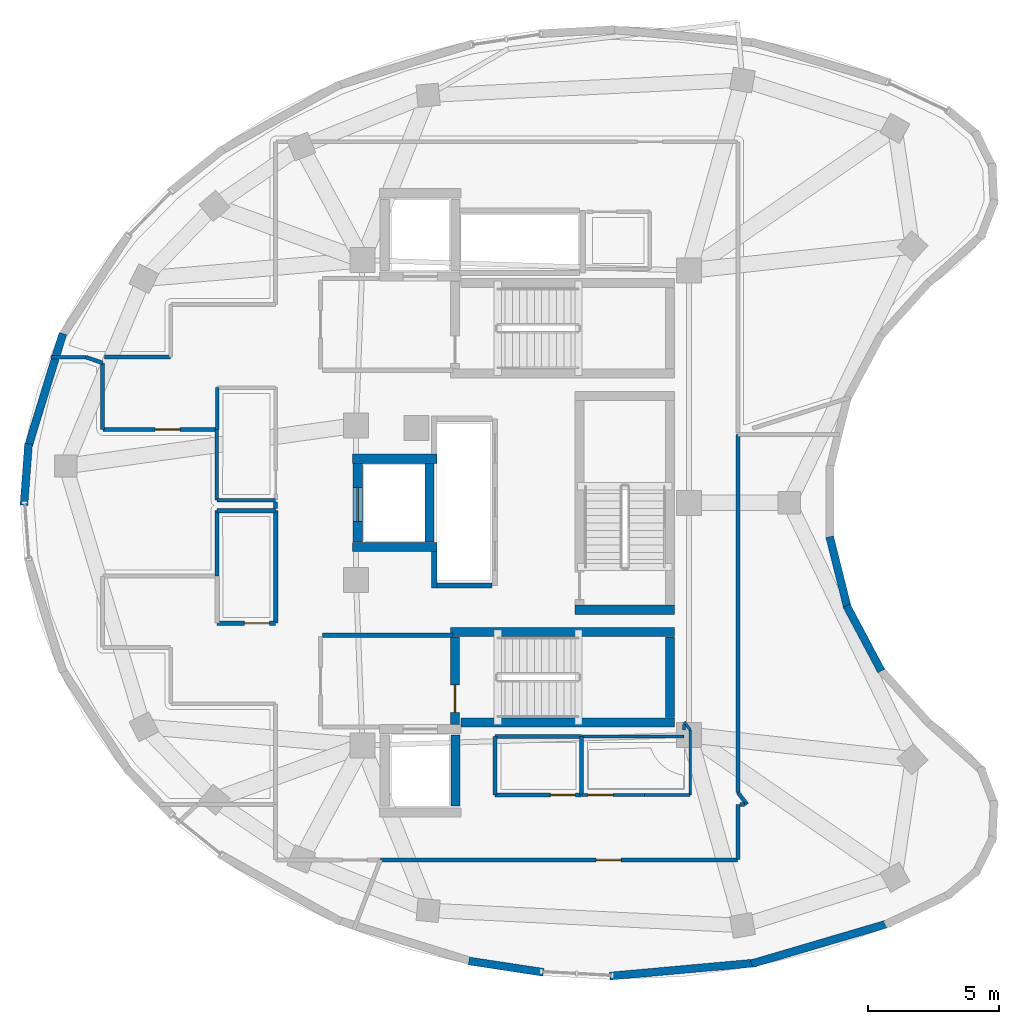
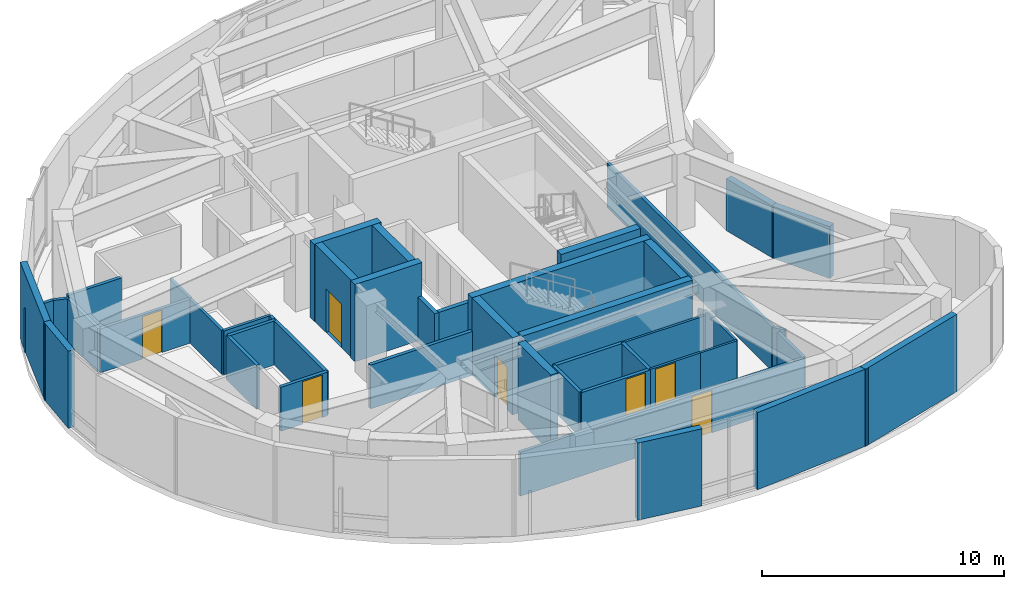
# One storey, part 4 of 8: 48 walls, 7 doors, 7 openings.
"""IFC4 building model written with IfcOpenShell, lengths in metres."""

from ifc_helpers import new_model, si_unit, direction, frame, frame_2d, origin, place, context, subcontext, project, spatial, rectangle, extrude, material, layer, layer_set, type_object, element, fill, save


model = new_model("IFC4")

# Units and contexts
model_context = context("Model", 3, precision=1e-05, world=origin(), true_north=direction((0.0, 1.0)))
body_context = subcontext(model_context, "Body", "Model", "MODEL_VIEW")
ifc_project = project(units=[si_unit("LENGTHUNIT", "METRE"), si_unit("AREAUNIT", "SQUARE_METRE"), si_unit("VOLUMEUNIT", "CUBIC_METRE"), si_unit("PLANEANGLEUNIT", "RADIAN"), si_unit("MASSUNIT", "GRAM", prefix="KILO")], contexts=[model_context])

# Site, building, storey
site_placement = place(None, origin())
site = spatial("IfcSite", under=ifc_project, at=site_placement, CompositionType="ELEMENT")
building_placement = place(site_placement, origin())
building = spatial("IfcBuilding", under=site, at=building_placement, Name="Korentha Bioscience Tower", CompositionType="ELEMENT")
storey_placement = place(building_placement, frame((0.0, 0.0, 301.800048828125)))
storey = spatial("IfcBuildingStorey", under=building, at=storey_placement, Name="L69", CompositionType="ELEMENT", Elevation=301.800048828125)

# Wall, opening, door
ifc_material_1 = material(Name="Double-Stud Acoustic Gypsum", Category="gypsum")
ifc_layer_1 = layer(ifc_material_1, 0.14990234375, Name="Double-Stud Acoustic Gypsum")
ifc_layer_set_1 = layer_set([ifc_layer_1], Name="Double-Stud Acoustic Gypsum (IW-L150)")
wall_type_1 = type_object("IfcWallType", Name="Acoustic Laboratory Partition Wall 150", PredefinedType="PARTITIONING", material=ifc_layer_set_1)
wall_1_placement = place(storey_placement, frame((15.199951171875, 29.7900390625, 0.0), z_axis=(0.0, 0.0, 1.0), x_axis=(1.0, 0.0, 0.0)))
wall_1 = element("IfcWall", 1, at=wall_1_placement, inside=storey, type_object=wall_type_1, Name="L69 Biomechanical Motion Analysis Lab 01 Entrance Wall", PredefinedType="PARTITIONING", context=body_context, shape_type="SweptSolid", body=[
    extrude(rectangle(XDim=4.340087890625, YDim=0.14990234375, at=frame_2d((2.169921875, 0.0))), origin(), (0.0, 0.0, 1.0), 2.219970703125),
])
opening_1_placement = place(wall_1_placement, frame((1.99755859375, 0.0, 0.0)))
opening_1 = element("IfcOpeningElement", 2, at=opening_1_placement, cuts=wall_1, Name="Opening ID-10R", PredefinedType="OPENING", context=body_context, shape_type="SweptSolid", body=[
    extrude(rectangle(XDim=0.949951171875, YDim=2.14990234375, at=frame_2d((0.47509765625, 1.074951171875))), frame((0.0, 0.08984375, 0.0), z_axis=(0.0, -1.0, 0.0), x_axis=(1.0, 0.0, 0.0)), (0.0, 0.0, 1.0), 0.1796875),
])
ifc_material_2 = material(Name="Phenolic Laminate Timber Core", Category="wood")
door_type_1 = type_object("IfcDoorType", Name="Laboratory Single Leaf Door 950x2150 Right", OperationType="SINGLE_SWING_RIGHT", PredefinedType="DOOR", material=ifc_material_2)
door_1_placement = place(opening_1_placement, origin())
door_1 = element("IfcDoor", 3, at=door_1_placement, inside=storey, type_object=door_type_1, Name="L69 Biomechanical Motion Analysis Lab 01 Door", OperationType="SINGLE_SWING_RIGHT", OverallHeight=2.14990234375, OverallWidth=0.949951171875, PredefinedType="DOOR", context=body_context, shape_type="SweptSolid", body=[
    extrude(rectangle(XDim=0.949951171875, YDim=2.14990234375, at=frame_2d((0.47509765625, 1.074951171875))), frame((0.0, 0.02490234375, 0.0), z_axis=(0.0, -1.0, 0.0), x_axis=(1.0, 0.0, 0.0)), (0.0, 0.0, 1.0), 0.050048828125),
])
fill(opening_1, door_1)

wall_2_placement = place(storey_placement, frame((25.79443359375, 13.389892578125, 0.0), z_axis=(0.0, 0.0, 1.0), x_axis=(1.0, 0.0, 0.0)))
wall_2 = element("IfcWall", 4, at=wall_2_placement, inside=storey, type_object=wall_type_1, Name="L69 Staff Pantry Kitchenette 04 Entrance Wall", PredefinedType="PARTITIONING", context=body_context, shape_type="SweptSolid", body=[
    extrude(rectangle(XDim=13.60546875, YDim=0.14990234375, at=frame_2d((6.802734375, 0.0))), origin(), (0.0, 0.0, 1.0), 2.219970703125),
])
opening_2_placement = place(wall_2_placement, frame((8.212646484375, 0.0, 0.0)))
opening_2 = element("IfcOpeningElement", 5, at=opening_2_placement, cuts=wall_2, Name="Opening ID-10L", PredefinedType="OPENING", context=body_context, shape_type="SweptSolid", body=[
    extrude(rectangle(XDim=0.949951171875, YDim=2.14990234375, at=frame_2d((0.47509765625, 1.074951171875))), frame((0.0, 0.08984375, 0.0), z_axis=(0.0, -1.0, 0.0), x_axis=(1.0, 0.0, 0.0)), (0.0, 0.0, 1.0), 0.1796875),
])
door_type_2 = type_object("IfcDoorType", Name="Laboratory Single Leaf Door 950x2150 Left", OperationType="SINGLE_SWING_LEFT", PredefinedType="DOOR", material=ifc_material_2)
door_2_placement = place(opening_2_placement, origin())
door_2 = element("IfcDoor", 6, at=door_2_placement, inside=storey, type_object=door_type_2, Name="L69 Staff Pantry Kitchenette 04 Door", OperationType="SINGLE_SWING_LEFT", OverallHeight=2.14990234375, OverallWidth=0.949951171875, PredefinedType="DOOR", context=body_context, shape_type="SweptSolid", body=[
    extrude(rectangle(XDim=0.949951171875, YDim=2.14990234375, at=frame_2d((0.47509765625, 1.074951171875))), frame((0.0, 0.02490234375, 0.0), z_axis=(0.0, -1.0, 0.0), x_axis=(1.0, 0.0, 0.0)), (0.0, 0.0, 1.0), 0.050048828125),
])
fill(opening_2, door_2)

# Walls
wall_3_placement = place(storey_placement, frame((13.2294921875, 32.548095703125, 0.0), z_axis=(0.0, 0.0, 1.0), x_axis=(1.0, 0.0, 0.0)))
element("IfcWall", 7, at=wall_3_placement, inside=storey, type_object=wall_type_1, Name="L69 Interior Partition 023", PredefinedType="PARTITIONING", context=body_context, shape_type="SweptSolid", body=[
    extrude(rectangle(XDim=1.330322265625, YDim=0.14990234375, at=frame_2d((0.6650390625, 0.0))), origin(), (0.0, 0.0, 1.0), 2.219970703125),
])
wall_4_placement = place(storey_placement, frame((14.559814453125, 32.548095703125, 0.0), z_axis=(0.0, 0.0, 1.0), x_axis=(0.947502011069, -0.319749806912, 0.0)))
element("IfcWall", 8, at=wall_4_placement, inside=storey, type_object=wall_type_1, Name="L69 Interior Partition 024", PredefinedType="PARTITIONING", context=body_context, shape_type="SweptSolid", body=[
    extrude(rectangle(XDim=0.6650390625, YDim=0.14990234375, at=frame_2d((0.33251953125, 0.0))), origin(), (0.0, 0.0, 1.0), 2.219970703125),
])
wall_5_placement = place(storey_placement, frame((15.18994140625, 32.33544921875, 0.0), z_axis=(0.0, 0.0, 1.0), x_axis=(0.0, -1.0, 0.0)))
element("IfcWall", 9, at=wall_5_placement, inside=storey, type_object=wall_type_1, Name="L69 Interior Partition 025", PredefinedType="PARTITIONING", context=body_context, shape_type="SweptSolid", body=[
    extrude(rectangle(XDim=2.535400390625, YDim=0.14990234375, at=frame_2d((1.267578125, 0.0))), origin(), (0.0, 0.0, 1.0), 2.219970703125),
])
wall_6_placement = place(storey_placement, frame((21.7900390625, 27.031982421875, 0.0), z_axis=(0.0, 0.0, 1.0), x_axis=(0.0, -1.0, 0.0)))
element("IfcWall", 10, at=wall_6_placement, inside=storey, type_object=wall_type_1, Name="L69 Interior Partition 026", PredefinedType="PARTITIONING", context=body_context, shape_type="SweptSolid", body=[
    extrude(rectangle(XDim=0.2490234375, YDim=0.14990234375, at=frame_2d((0.12451171875, 0.0))), origin(), (0.0, 0.0, 1.0), 2.219970703125),
])
wall_7_placement = place(storey_placement, frame((39.75244140625, 15.50439453125, 0.0), z_axis=(0.0, 0.0, 1.0), x_axis=(-0.605094202719, 0.796153883264, 0.0)))
element("IfcWall", 11, at=wall_7_placement, inside=storey, type_object=wall_type_1, Name="L69 Interior Partition 043", PredefinedType="PARTITIONING", context=body_context, shape_type="SweptSolid", body=[
    extrude(rectangle(XDim=0.566162109375, YDim=0.14990234375, at=frame_2d((0.283203125, 0.0))), origin(), (0.0, 0.0, 1.0), 2.219970703125),
])
wall_8_placement = place(storey_placement, frame((39.409912109375, 15.955078125, 0.0), z_axis=(0.0, 0.0, 1.0), x_axis=(0.0, 1.0, 0.0)))
element("IfcWall", 12, at=wall_8_placement, inside=storey, type_object=wall_type_1, Name="L69 Interior Partition 044", PredefinedType="PARTITIONING", context=body_context, shape_type="SweptSolid", body=[
    extrude(rectangle(XDim=13.642822265625, YDim=0.14990234375, at=frame_2d((6.8212890625, 0.0))), origin(), (0.0, 0.0, 1.0), 2.219970703125),
])
wall_9_placement = place(storey_placement, frame((39.409912109375, 13.39990234375, 0.0), z_axis=(0.0, 0.0, 1.0), x_axis=(0.0, 1.0, 0.0)))
element("IfcWall", 13, at=wall_9_placement, inside=storey, type_object=wall_type_1, Name="L69 Interior Partition 046", PredefinedType="PARTITIONING", context=body_context, shape_type="SweptSolid", body=[
    extrude(rectangle(XDim=2.09814453125, YDim=0.14990234375, at=frame_2d((1.049072265625, 0.0))), origin(), (0.0, 0.0, 1.0), 2.219970703125),
])
wall_10_placement = place(storey_placement, frame((39.488037109375, 15.498046875, 0.0), z_axis=(0.0, 0.0, 1.0), x_axis=(1.0, 0.0, 0.0)))
element("IfcWall", 14, at=wall_10_placement, inside=storey, type_object=wall_type_1, Name="L69 Interior Partition 047", PredefinedType="PARTITIONING", context=body_context, shape_type="SweptSolid", body=[
    extrude(rectangle(XDim=0.17138671875, YDim=0.14990234375, at=frame_2d((0.085693359375, 0.0))), origin(), (0.0, 0.0, 1.0), 2.219970703125),
])
wall_11_placement = place(storey_placement, frame((17.7900390625, 32.552001953125, 0.0), z_axis=(0.0, 0.0, 1.0), x_axis=(-1.0, 0.0, 0.0)))
element("IfcWall", 15, at=wall_11_placement, inside=storey, type_object=wall_type_1, Name="L69 Interior Partition 053", PredefinedType="PARTITIONING", context=body_context, shape_type="SweptSolid", body=[
    extrude(rectangle(XDim=2.52685546875, YDim=0.14990234375, at=frame_2d((1.263427734375, 0.0))), origin(), (0.0, 0.0, 1.0), 2.219970703125),
])

# Wall, opening, door
ifc_material_3 = material(Name="Fire-Rated Framed Glass", Category="glass")
ifc_layer_2 = layer(ifc_material_3, 0.110107421875, Name="Fire-Rated Framed Glass")
ifc_layer_set_2 = layer_set([ifc_layer_2], Name="Fire-Rated Framed Glass (IW-G110)")
wall_type_2 = type_object("IfcWallType", Name="Demountable Glazed Office Partition 110", PredefinedType="MOVABLE", material=ifc_layer_set_2)
wall_12_placement = place(storey_placement, frame((35.840087890625, 15.860107421875, 0.0), z_axis=(0.0, 0.0, 1.0), x_axis=(-1.0, 0.0, 0.0)))
wall_12 = element("IfcWall", 16, at=wall_12_placement, inside=storey, type_object=wall_type_2, Name="L69 Research Colloquium Seminar Room 03 Entrance Wall", PredefinedType="MOVABLE", context=body_context, shape_type="SweptSolid", body=[
    extrude(rectangle(XDim=2.380126953125, YDim=0.110107421875, at=frame_2d((1.18994140625, 0.0))), origin(), (0.0, 0.0, 1.0), 2.219970703125),
])
opening_3_placement = place(wall_12_placement, frame((1.18994140625, 0.0, 0.0)))
opening_3 = element("IfcOpeningElement", 17, at=opening_3_placement, cuts=wall_12, Name="Opening ID-10R", PredefinedType="OPENING", context=body_context, shape_type="SweptSolid", body=[
    extrude(rectangle(XDim=0.949951171875, YDim=2.14990234375, at=frame_2d((0.47509765625, 1.074951171875))), frame((0.0, 0.06982421875, 0.0), z_axis=(0.0, -1.0, 0.0), x_axis=(1.0, 0.0, 0.0)), (0.0, 0.0, 1.0), 0.139892578125),
])
door_3_placement = place(opening_3_placement, origin())
door_3 = element("IfcDoor", 18, at=door_3_placement, inside=storey, type_object=door_type_1, Name="L69 Research Colloquium Seminar Room 03 Door", OperationType="SINGLE_SWING_RIGHT", OverallHeight=2.14990234375, OverallWidth=0.949951171875, PredefinedType="DOOR", context=body_context, shape_type="SweptSolid", body=[
    extrude(rectangle(XDim=0.949951171875, YDim=2.14990234375, at=frame_2d((0.47509765625, 1.074951171875))), frame((0.0, 0.02490234375, 0.0), z_axis=(0.0, -1.0, 0.0), x_axis=(1.0, 0.0, 0.0)), (0.0, 0.0, 1.0), 0.050048828125),
])
fill(opening_3, door_3)

# Walls
wall_13_placement = place(storey_placement, frame((37.590087890625, 18.342529296875, 0.0), z_axis=(0.0, 0.0, 1.0), x_axis=(0.0, -1.0, 0.0)))
element("IfcWall", 19, at=wall_13_placement, inside=storey, type_object=wall_type_2, Name="L69 Interior Partition 038", PredefinedType="MOVABLE", context=body_context, shape_type="SweptSolid", body=[
    extrude(rectangle(XDim=2.482421875, YDim=0.110107421875, at=frame_2d((1.2412109375, 0.0))), origin(), (0.0, 0.0, 1.0), 2.219970703125),
])
wall_14_placement = place(storey_placement, frame((37.590087890625, 15.860107421875, 0.0), z_axis=(0.0, 0.0, 1.0), x_axis=(-1.0, 0.0, 0.0)))
element("IfcWall", 20, at=wall_14_placement, inside=storey, type_object=wall_type_2, Name="L69 Interior Partition 039", PredefinedType="MOVABLE", context=body_context, shape_type="SweptSolid", body=[
    extrude(rectangle(XDim=1.75, YDim=0.110107421875, at=frame_2d((0.875, 0.0))), origin(), (0.0, 0.0, 1.0), 2.219970703125),
])
wall_15_placement = place(storey_placement, frame((33.4599609375, 18.090087890625, 0.0), z_axis=(0.0, 0.0, 1.0), x_axis=(1.0, 0.0, 0.0)))
element("IfcWall", 21, at=wall_15_placement, inside=storey, type_object=wall_type_2, Name="L69 Interior Partition 040", PredefinedType="MOVABLE", context=body_context, shape_type="SweptSolid", body=[
    extrude(rectangle(XDim=3.89013671875, YDim=0.110107421875, at=frame_2d((1.945068359375, 0.0))), origin(), (0.0, 0.0, 1.0), 2.219970703125),
])
wall_16_placement = place(storey_placement, frame((37.360107421875, 18.342529296875, 0.0), z_axis=(0.0, 0.0, 1.0), x_axis=(0.0, 1.0, 0.0)))
element("IfcWall", 22, at=wall_16_placement, inside=storey, type_object=wall_type_2, Name="L69 Interior Partition 041", PredefinedType="MOVABLE", context=body_context, shape_type="SweptSolid", body=[
    extrude(rectangle(XDim=0.206787109375, YDim=0.110107421875, at=frame_2d((0.103515625, 0.0))), origin(), (0.0, 0.0, 1.0), 2.219970703125),
])
wall_17_placement = place(storey_placement, frame((37.360107421875, 18.64501953125, 0.0), z_axis=(0.0, 0.0, 1.0), x_axis=(0.605229871143, -0.796050754083, 0.0)))
element("IfcWall", 23, at=wall_17_placement, inside=storey, type_object=wall_type_2, Name="L69 Interior Partition 042", PredefinedType="MOVABLE", context=body_context, shape_type="SweptSolid", body=[
    extrude(rectangle(XDim=0.3798828125, YDim=0.110107421875, at=frame_2d((0.18994140625, 0.0))), origin(), (0.0, 0.0, 1.0), 2.219970703125),
])
ifc_material_4 = material(Name="Gypsum-Clad Steel Stud", Category="steel")
ifc_layer_3 = layer(ifc_material_4, 0.159912109375, Name="Gypsum-Clad Steel Stud")
ifc_layer_set_3 = layer_set([ifc_layer_3], Name="Gypsum-Clad Steel Stud (IW-C160)")
wall_type_3 = type_object("IfcWallType", Name="Fire-Rated Corridor Partition Wall 160", PredefinedType="PARTITIONING", material=ifc_layer_set_3)
wall_18_placement = place(storey_placement, frame((23.580078125, 21.949951171875, 0.0), z_axis=(0.0, 0.0, 1.0), x_axis=(1.0, 0.0, 0.0)))
element("IfcWall", 24, at=wall_18_placement, inside=storey, type_object=wall_type_3, Name="L69 Firefighting Lobby Return Wall FFLS-N", PredefinedType="PARTITIONING", context=body_context, shape_type="SweptSolid", body=[
    extrude(rectangle(XDim=4.969970703125, YDim=0.159912109375, at=frame_2d((2.48486328125, 0.0))), origin(), (0.0, 0.0, 1.0), 2.219970703125),
])

# Wall, opening, door
wall_19_placement = place(storey_placement, frame((33.449951171875, 15.860107421875, 0.0), z_axis=(0.0, 0.0, 1.0), x_axis=(-1.0, 0.0, 0.0)))
wall_19 = element("IfcWall", 25, at=wall_19_placement, inside=storey, type_object=wall_type_3, Name="L69 Core Instrumentation and Gas Store Entrance Wall", PredefinedType="PARTITIONING", context=body_context, shape_type="SweptSolid", body=[
    extrude(rectangle(XDim=3.300048828125, YDim=0.159912109375, at=frame_2d((1.64990234375, 0.0))), origin(), (0.0, 0.0, 1.0), 2.219970703125),
])
opening_4_placement = place(wall_19_placement, frame((0.239990234375, 0.0, 0.0)))
opening_4 = element("IfcOpeningElement", 26, at=opening_4_placement, cuts=wall_19, Name="Opening ID-10R", PredefinedType="OPENING", context=body_context, shape_type="SweptSolid", body=[
    extrude(rectangle(XDim=0.949951171875, YDim=2.14990234375, at=frame_2d((0.47509765625, 1.074951171875))), frame((0.0, 0.0947265625, 0.0), z_axis=(0.0, -1.0, 0.0), x_axis=(1.0, 0.0, 0.0)), (0.0, 0.0, 1.0), 0.189697265625),
])
door_4_placement = place(opening_4_placement, origin())
door_4 = element("IfcDoor", 27, at=door_4_placement, inside=storey, type_object=door_type_1, Name="L69 Core Instrumentation and Gas Store Door", OperationType="SINGLE_SWING_RIGHT", OverallHeight=2.14990234375, OverallWidth=0.949951171875, PredefinedType="DOOR", context=body_context, shape_type="SweptSolid", body=[
    extrude(rectangle(XDim=0.949951171875, YDim=2.14990234375, at=frame_2d((0.47509765625, 1.074951171875))), frame((0.0, 0.02490234375, 0.0), z_axis=(0.0, -1.0, 0.0), x_axis=(1.0, 0.0, 0.0)), (0.0, 0.0, 1.0), 0.050048828125),
])
fill(opening_4, door_4)

wall_20_placement = place(storey_placement, frame((21.7900390625, 22.409912109375, 0.0), z_axis=(0.0, 0.0, 1.0), x_axis=(-1.0, 0.0, 0.0)))
wall_20 = element("IfcWall", 28, at=wall_20_placement, inside=storey, type_object=wall_type_3, Name="L69 Reclaimed Bank-2 Electrical Switchgear Store Entrance Wall", PredefinedType="PARTITIONING", context=body_context, shape_type="SweptSolid", body=[
    extrude(rectangle(XDim=2.22998046875, YDim=0.159912109375, at=frame_2d((1.114990234375, 0.0))), origin(), (0.0, 0.0, 1.0), 2.219970703125),
])
opening_5_placement = place(wall_20_placement, frame((0.239990234375, 0.0, 0.0)))
opening_5 = element("IfcOpeningElement", 29, at=opening_5_placement, cuts=wall_20, Name="Opening ID-10R", PredefinedType="OPENING", context=body_context, shape_type="SweptSolid", body=[
    extrude(rectangle(XDim=0.949951171875, YDim=2.14990234375, at=frame_2d((0.47509765625, 1.074951171875))), frame((0.0, 0.0947265625, 0.0), z_axis=(0.0, -1.0, 0.0), x_axis=(1.0, 0.0, 0.0)), (0.0, 0.0, 1.0), 0.189697265625),
])
door_5_placement = place(opening_5_placement, origin())
door_5 = element("IfcDoor", 30, at=door_5_placement, inside=storey, type_object=door_type_1, Name="L69 Reclaimed Bank-2 Electrical Switchgear Store Door", OperationType="SINGLE_SWING_RIGHT", OverallHeight=2.14990234375, OverallWidth=0.949951171875, PredefinedType="DOOR", context=body_context, shape_type="SweptSolid", body=[
    extrude(rectangle(XDim=0.949951171875, YDim=2.14990234375, at=frame_2d((0.47509765625, 1.074951171875))), frame((0.0, 0.02490234375, 0.0), z_axis=(0.0, -1.0, 0.0), x_axis=(1.0, 0.0, 0.0)), (0.0, 0.0, 1.0), 0.050048828125),
])
fill(opening_5, door_5)

# Walls
wall_21_placement = place(storey_placement, frame((30.14990234375, 15.860107421875, 0.0), z_axis=(0.0, 0.0, 1.0), x_axis=(0.0, 1.0, 0.0)))
element("IfcWall", 31, at=wall_21_placement, inside=storey, type_object=wall_type_3, Name="L69 Interior Partition 010", PredefinedType="PARTITIONING", context=body_context, shape_type="SweptSolid", body=[
    extrude(rectangle(XDim=2.22998046875, YDim=0.159912109375, at=frame_2d((1.114990234375, 0.0))), origin(), (0.0, 0.0, 1.0), 2.219970703125),
])
wall_22_placement = place(storey_placement, frame((30.14990234375, 18.090087890625, 0.0), z_axis=(0.0, 0.0, 1.0), x_axis=(1.0, 0.0, 0.0)))
element("IfcWall", 32, at=wall_22_placement, inside=storey, type_object=wall_type_3, Name="L69 Interior Partition 011", PredefinedType="PARTITIONING", context=body_context, shape_type="SweptSolid", body=[
    extrude(rectangle(XDim=3.300048828125, YDim=0.159912109375, at=frame_2d((1.64990234375, 0.0))), origin(), (0.0, 0.0, 1.0), 2.219970703125),
])
wall_23_placement = place(storey_placement, frame((33.449951171875, 18.090087890625, 0.0), z_axis=(0.0, 0.0, 1.0), x_axis=(0.0, -1.0, 0.0)))
element("IfcWall", 33, at=wall_23_placement, inside=storey, type_object=wall_type_3, Name="L69 Interior Partition 012", PredefinedType="PARTITIONING", context=body_context, shape_type="SweptSolid", body=[
    extrude(rectangle(XDim=2.22998046875, YDim=0.159912109375, at=frame_2d((1.114990234375, 0.0))), origin(), (0.0, 0.0, 1.0), 2.219970703125),
])
wall_24_placement = place(storey_placement, frame((21.7900390625, 26.699951171875, 0.0), z_axis=(0.0, 0.0, 1.0), x_axis=(0.0, -1.0, 0.0)))
element("IfcWall", 34, at=wall_24_placement, inside=storey, type_object=wall_type_3, Name="L69 Interior Partition 015", PredefinedType="PARTITIONING", context=body_context, shape_type="SweptSolid", body=[
    extrude(rectangle(XDim=4.2900390625, YDim=0.159912109375, at=frame_2d((2.14501953125, 0.0))), origin(), (0.0, 0.0, 1.0), 2.219970703125),
])
wall_25_placement = place(storey_placement, frame((19.550048828125, 24.2099609375, 0.0), z_axis=(0.0, 0.0, 1.0), x_axis=(0.0, 1.0, 0.0)))
element("IfcWall", 35, at=wall_25_placement, inside=storey, type_object=wall_type_3, Name="L69 Interior Partition 017", PredefinedType="PARTITIONING", context=body_context, shape_type="SweptSolid", body=[
    extrude(rectangle(XDim=2.489990234375, YDim=0.159912109375, at=frame_2d((1.2451171875, 0.0))), origin(), (0.0, 0.0, 1.0), 2.219970703125),
])
wall_26_placement = place(storey_placement, frame((19.550048828125, 26.699951171875, 0.0), z_axis=(0.0, 0.0, 1.0), x_axis=(1.0, 0.0, 0.0)))
element("IfcWall", 36, at=wall_26_placement, inside=storey, type_object=wall_type_3, Name="L69 Interior Partition 018", PredefinedType="PARTITIONING", context=body_context, shape_type="SweptSolid", body=[
    extrude(rectangle(XDim=2.239990234375, YDim=0.159912109375, at=frame_2d((1.1201171875, 0.0))), origin(), (0.0, 0.0, 1.0), 2.219970703125),
])
ifc_material_5 = material(Name="Honed Limestone Precast Concrete C40", Category="masonry")
ifc_layer_4 = layer(ifc_material_5, 0.300048828125, Name="Honed Limestone Precast Concrete C40")
ifc_layer_set_4 = layer_set([ifc_layer_4], Name="Honed Limestone Precast Concrete C40 (EW-ST300)")
wall_type_4 = type_object("IfcWallType", Name="Honed Limestone Cavity Spandrel Wall 300", PredefinedType="STANDARD", material=ifc_layer_set_4)
wall_27_placement = place(storey_placement, frame((13.681396484375, 33.448974609375, 0.0), z_axis=(0.0, 0.0, 1.0), x_axis=(-0.293311854667, -0.956016817797, 0.0)))
element("IfcWall", 37, at=wall_27_placement, inside=storey, type_object=wall_type_4, Name="L69 Limestone Perimeter Closure Wall 16", PredefinedType="STANDARD", context=body_context, shape_type="SweptSolid", body=[
    extrude(rectangle(XDim=4.5888671875, YDim=0.300048828125, at=frame_2d((2.29443359375, 0.0))), origin(), (0.0, 0.0, 1.0), 3.89990234375),
])
wall_28_placement = place(storey_placement, frame((12.37060546875, 29.248779296875, 0.0), z_axis=(0.0, 0.0, 1.0), x_axis=(-0.075040925575, -0.997180454827, 0.0)))
element("IfcWall", 38, at=wall_28_placement, inside=storey, type_object=wall_type_4, Name="L69 Limestone Perimeter Closure Wall 18", PredefinedType="STANDARD", context=body_context, shape_type="SweptSolid", body=[
    extrude(rectangle(XDim=2.345703125, YDim=0.300048828125, at=frame_2d((1.1728515625, 0.0))), origin(), (0.0, 0.0, 1.0), 3.89990234375),
])
wall_29_placement = place(storey_placement, frame((29.15380859375, 9.535400390625, 0.0), z_axis=(0.0, 0.0, 1.0), x_axis=(0.988626523862, -0.150391476873, 0.0)))
element("IfcWall", 39, at=wall_29_placement, inside=storey, type_object=wall_type_4, Name="L69 Limestone Perimeter Closure Wall 30", PredefinedType="STANDARD", context=body_context, shape_type="SweptSolid", body=[
    extrude(rectangle(XDim=2.875, YDim=0.300048828125, at=frame_2d((1.4375, 0.0))), origin(), (0.0, 0.0, 1.0), 3.89990234375),
])
wall_30_placement = place(storey_placement, frame((34.529296875, 8.960693359375, 0.0), z_axis=(0.0, 0.0, 1.0), x_axis=(0.995950163058, 0.089907022552, 0.0)))
element("IfcWall", 40, at=wall_30_placement, inside=storey, type_object=wall_type_4, Name="L69 Limestone Perimeter Closure Wall 32", PredefinedType="STANDARD", context=body_context, shape_type="SweptSolid", body=[
    extrude(rectangle(XDim=5.60205078125, YDim=0.300048828125, at=frame_2d((2.801025390625, 0.0))), origin(), (0.0, 0.0, 1.0), 3.89990234375),
])
wall_31_placement = place(storey_placement, frame((39.92529296875, 9.429443359375, 0.0), z_axis=(0.0, 0.0, 1.0), x_axis=(0.959276315934, 0.282469378321, 0.0)))
element("IfcWall", 41, at=wall_31_placement, inside=storey, type_object=wall_type_4, Name="L69 Limestone Perimeter Closure Wall 34", PredefinedType="STANDARD", context=body_context, shape_type="SweptSolid", body=[
    extrude(rectangle(XDim=5.495361328125, YDim=0.300048828125, at=frame_2d((2.74755859375, 0.0))), origin(), (0.0, 0.0, 1.0), 3.89990234375),
])
for number, where, z_axis, x_axis, name in (
    (42, (44.876708984375, 20.583740234375, 0.0), (0.0, 0.0, 1.0), (-0.469445489529, 0.882961455761, 0.0), "L69 Limestone Perimeter Closure Wall 45"),
    (43, (43.593505859375, 22.96484375, 0.0), (0.0, 0.0, 1.0), (-0.241926331659, 0.970294620231, 0.0), "L69 Limestone Perimeter Closure Wall 47"),
):
    element("IfcWall", number, at=place(storey_placement, frame(where, z_axis=z_axis, x_axis=x_axis)), inside=storey, type_object=wall_type_4, Name=name, PredefinedType="STANDARD", context=body_context, shape_type="SweptSolid", body=[
        extrude(rectangle(XDim=2.82861328125, YDim=0.300048828125, at=frame_2d((1.414306640625, 0.0))), origin(), (0.0, 0.0, 1.0), 2.625),
    ])
ifc_material_6 = material(Name="Autoclaved Aerated Concrete Block C25", Category="concrete")
ifc_layer_5 = layer(ifc_material_6, 0.199951171875, Name="Autoclaved Aerated Concrete Block C25")
ifc_layer_set_5 = layer_set([ifc_layer_5], Name="Autoclaved Aerated Concrete Block C25 (IW-S200)")
wall_type_5 = type_object("IfcWallType", Name="Lift and Riser Shaft Enclosure Wall 200", PredefinedType="PARTITIONING", material=ifc_layer_set_5)
wall_32_placement = place(storey_placement, frame((27.830078125, 23.75, 0.0), z_axis=(0.0, 0.0, 1.0), x_axis=(0.0, 1.0, 0.0)))
element("IfcWall", 44, at=wall_32_placement, inside=storey, type_object=wall_type_5, Name="L69 Lift Bank HIGH Shaft Wall -XS", PredefinedType="PARTITIONING", context=body_context, shape_type="SweptSolid", body=[
    extrude(rectangle(XDim=1.39111328125, YDim=0.199951171875, at=frame_2d((0.695556640625, 0.0))), origin(), (0.0, 0.0, 1.0), 2.219970703125),
])
wall_33_placement = place(storey_placement, frame((27.93408203125, 23.85009765625, 0.0), z_axis=(0.0, 0.0, 1.0), x_axis=(1.0, 0.0, 0.0)))
element("IfcWall", 45, at=wall_33_placement, inside=storey, type_object=wall_type_5, Name="L69 Lift Bank HIGH Shaft Wall -Y", PredefinedType="PARTITIONING", context=body_context, shape_type="SweptSolid", body=[
    extrude(rectangle(XDim=2.095947265625, YDim=0.199951171875, at=frame_2d((1.0478515625, 0.0))), origin(), (0.0, 0.0, 1.0), 2.219970703125),
])
ifc_material_7 = material(Name="Concrete C50", Category="concrete")
ifc_layer_6 = layer(ifc_material_7, 0.35009765625, Name="Concrete C50")
ifc_layer_set_6 = layer_set([ifc_layer_6], Name="Concrete C50 (CW-C50)")
wall_type_6 = type_object("IfcWallType", Name="Upper Core Shear Wall 350", PredefinedType="SHEAR", material=ifc_layer_set_6)
wall_34_placement = place(storey_placement, frame((28.85205078125, 18.625, 0.0), z_axis=(0.0, 0.0, 1.0), x_axis=(1.0, 0.0, 0.0)))
element("IfcWall", 46, at=wall_34_placement, inside=storey, type_object=wall_type_6, Name="L69 Core Shear Wall ST2-S", PredefinedType="SHEAR", context=body_context, shape_type="SweptSolid", body=[
    extrude(rectangle(XDim=8.14794921875, YDim=0.35009765625, at=frame_2d((4.073974609375, 0.0))), origin(), (0.0, 0.0, 1.0), 3.89990234375),
])
wall_35_placement = place(storey_placement, frame((28.449951171875, 22.074951171875, 0.0), z_axis=(0.0, 0.0, 1.0), x_axis=(1.0, 0.0, 0.0)))
element("IfcWall", 47, at=wall_35_placement, inside=storey, type_object=wall_type_6, Name="L69 Core Shear Wall ST2-N", PredefinedType="SHEAR", context=body_context, shape_type="SweptSolid", body=[
    extrude(rectangle(XDim=8.550048828125, YDim=0.35009765625, at=frame_2d((4.27490234375, 0.0))), origin(), (0.0, 0.0, 1.0), 3.89990234375),
])
wall_36_placement = place(storey_placement, frame((36.824951171875, 18.81005859375, 0.0), z_axis=(0.0, 0.0, 1.0), x_axis=(0.0, 1.0, 0.0)))
element("IfcWall", 48, at=wall_36_placement, inside=storey, type_object=wall_type_6, Name="L69 Core Shear Wall ST2-E", PredefinedType="SHEAR", context=body_context, shape_type="SweptSolid", body=[
    extrude(rectangle(XDim=3.079833984375, YDim=0.35009765625, at=frame_2d((1.5400390625, 0.0))), origin(), (0.0, 0.0, 1.0), 3.89990234375),
])

# Wall, opening, door
wall_37_placement = place(storey_placement, frame((28.625, 18.556884765625, 0.0), z_axis=(0.0, 0.0, 1.0), x_axis=(0.0, 1.0, 0.0)))
wall_37 = element("IfcWall", 49, at=wall_37_placement, inside=storey, type_object=wall_type_6, Name="L69 Core Shear Wall ST2-W", PredefinedType="SHEAR", context=body_context, shape_type="SweptSolid", body=[
    extrude(rectangle(XDim=3.3330078125, YDim=0.35009765625, at=frame_2d((1.66650390625, 0.0))), origin(), (0.0, 0.0, 1.0), 3.89990234375),
])
opening_6_placement = place(wall_37_placement, frame((0.452880859375, 0.0, 0.0)))
opening_6 = element("IfcOpeningElement", 50, at=opening_6_placement, cuts=wall_37, Name="Opening FD-90R", PredefinedType="OPENING", context=body_context, shape_type="SweptSolid", body=[
    extrude(rectangle(XDim=1.050048828125, YDim=2.14990234375, at=frame_2d((0.52490234375, 1.074951171875))), frame((0.0, 0.18994140625, 0.0), z_axis=(0.0, -1.0, 0.0), x_axis=(1.0, 0.0, 0.0)), (0.0, 0.0, 1.0), 0.3798828125),
])
ifc_material_8 = material(Name="Powder-Coated Fire-Rated Steel", Category="steel")
door_type_3 = type_object("IfcDoorType", Name="Stairwell Fire Exit Door 1050x2150 Right", OperationType="SINGLE_SWING_RIGHT", PredefinedType="DOOR", material=ifc_material_8)
door_6_placement = place(opening_6_placement, origin())
door_6 = element("IfcDoor", 51, at=door_6_placement, inside=storey, type_object=door_type_3, Name="L69 ST-2 Fire Exit Stair Door", OperationType="SINGLE_SWING_RIGHT", OverallHeight=2.14990234375, OverallWidth=1.050048828125, PredefinedType="DOOR", context=body_context, shape_type="SweptSolid", body=[
    extrude(rectangle(XDim=1.050048828125, YDim=2.14990234375, at=frame_2d((0.52490234375, 1.074951171875))), frame((0.0, 0.02490234375, 0.0), z_axis=(0.0, -1.0, 0.0), x_axis=(1.0, 0.0, 0.0)), (0.0, 0.0, 1.0), 0.050048828125),
])
fill(opening_6, door_6)

# Walls
wall_38_placement = place(storey_placement, frame((33.199951171875, 22.925048828125, 0.0), z_axis=(0.0, 0.0, 1.0), x_axis=(1.0, 0.0, 0.0)))
element("IfcWall", 52, at=wall_38_placement, inside=storey, type_object=wall_type_6, Name="L69 Core Shear Wall ST3-S", PredefinedType="SHEAR", context=body_context, shape_type="SweptSolid", body=[
    extrude(rectangle(XDim=3.800048828125, YDim=0.35009765625, at=frame_2d((1.89990234375, 0.0))), origin(), (0.0, 0.0, 1.0), 3.89990234375),
])
wall_39_placement = place(storey_placement, frame((28.64990234375, 15.43994140625, 0.0), z_axis=(0.0, 0.0, 1.0), x_axis=(0.0, 1.0, 0.0)))
element("IfcWall", 53, at=wall_39_placement, inside=storey, type_object=wall_type_6, Name="L69 Core Shear Wall FFL1-E", PredefinedType="SHEAR", context=body_context, shape_type="SweptSolid", body=[
    extrude(rectangle(XDim=2.699951171875, YDim=0.35009765625, at=frame_2d((1.35009765625, 0.0))), origin(), (0.0, 0.0, 1.0), 3.89990234375),
])
for number, where, z_axis, x_axis, name in (
    (54, (24.719970703125, 28.679931640625, 0.0), (0.0, 0.0, 1.0), (1.0, 0.0, 0.0), "L69 Core Shear Wall SVL1-N"),
    (55, (24.719970703125, 25.320068359375, 0.0), (0.0, 0.0, 1.0), (1.0, 0.0, 0.0), "L69 Core Shear Wall SVL1-S"),
):
    element("IfcWall", number, at=place(storey_placement, frame(where, z_axis=z_axis, x_axis=x_axis)), inside=storey, type_object=wall_type_6, Name=name, PredefinedType="SHEAR", context=body_context, shape_type="SweptSolid", body=[
        extrude(rectangle(XDim=3.2099609375, YDim=0.35009765625, at=frame_2d((1.60498046875, 0.0))), origin(), (0.0, 0.0, 1.0), 3.89990234375),
    ])

# Wall, opening, door
wall_40_placement = place(storey_placement, frame((24.919921875, 25.4970703125, 0.0), z_axis=(0.0, 0.0, 1.0), x_axis=(0.0, 1.0, 0.0)))
wall_40 = element("IfcWall", 56, at=wall_40_placement, inside=storey, type_object=wall_type_6, Name="L69 Core Shear Wall SVL1-W", PredefinedType="SHEAR", context=body_context, shape_type="SweptSolid", body=[
    extrude(rectangle(XDim=3.005859375, YDim=0.35009765625, at=frame_2d((1.5029296875, 0.0))), origin(), (0.0, 0.0, 1.0), 3.89990234375),
])
opening_7_placement = place(wall_40_placement, frame((0.7900390625, 0.0, 0.0)))
opening_7 = element("IfcOpeningElement", 57, at=opening_7_placement, cuts=wall_40, Name="Opening LD-13", PredefinedType="OPENING", context=body_context, shape_type="SweptSolid", body=[
    extrude(rectangle(XDim=1.300048828125, YDim=2.199951171875, at=frame_2d((0.64990234375, 1.10009765625))), frame((0.0, 0.18994140625, 0.0), z_axis=(0.0, -1.0, 0.0), x_axis=(1.0, 0.0, 0.0)), (0.0, 0.0, 1.0), 0.3798828125),
])
ifc_material_9 = material(Name="Brushed Stainless Steel 316", Category="steel")
door_type_4 = type_object("IfcDoorType", Name="Service & Firefighting Lift Landing Door 1300x2300", OperationType="DOUBLE_DOOR_SLIDING", PredefinedType="DOOR", material=ifc_material_9)
door_7_placement = place(opening_7_placement, origin())
door_7 = element("IfcDoor", 58, at=door_7_placement, inside=storey, type_object=door_type_4, Name="L69 SVL-1 Sliding Lift Landing Door", OperationType="DOUBLE_DOOR_SLIDING", OverallHeight=2.199951171875, OverallWidth=1.300048828125, PredefinedType="DOOR", context=body_context, shape_type="SweptSolid", body=[
    extrude(rectangle(XDim=1.300048828125, YDim=2.199951171875, at=frame_2d((0.64990234375, 1.10009765625))), frame((0.0, 0.02490234375, 0.0), z_axis=(0.0, -1.0, 0.0), x_axis=(1.0, 0.0, 0.0)), (0.0, 0.0, 1.0), 0.050048828125),
])
fill(opening_7, door_7)

# Walls
wall_41_placement = place(storey_placement, frame((27.64990234375, 25.4970703125, 0.0), z_axis=(0.0, 0.0, 1.0), x_axis=(0.0, 1.0, 0.0)))
element("IfcWall", 59, at=wall_41_placement, inside=storey, type_object=wall_type_6, Name="L69 Core Shear Wall SVL1-E", PredefinedType="SHEAR", context=body_context, shape_type="SweptSolid", body=[
    extrude(rectangle(XDim=3.005859375, YDim=0.35009765625, at=frame_2d((1.5029296875, 0.0))), origin(), (0.0, 0.0, 1.0), 3.89990234375),
])
ifc_material_10 = material(Name="Cement-Board Steel Stud", Category="steel")
ifc_layer_7 = layer(ifc_material_10, 0.1298828125, Name="Cement-Board Steel Stud")
ifc_layer_set_7 = layer_set([ifc_layer_7], Name="Cement-Board Steel Stud (IW-W130)")
wall_type_7 = type_object("IfcWallType", Name="Wet-Area Moisture-Resistant Partition 130", PredefinedType="PARTITIONING", material=ifc_layer_set_7)
wall_42_placement = place(storey_placement, frame((19.550048828125, 27.10009765625, 0.0), z_axis=(0.0, 0.0, 1.0), x_axis=(0.0, 1.0, 0.0)))
element("IfcWall", 60, at=wall_42_placement, inside=storey, type_object=wall_type_7, Name="L69 Interior Partition 019", PredefinedType="PARTITIONING", context=body_context, shape_type="SweptSolid", body=[
    extrude(rectangle(XDim=2.68994140625, YDim=0.1298828125, at=frame_2d((1.344970703125, 0.0))), origin(), (0.0, 0.0, 1.0), 2.219970703125),
])
wall_43_placement = place(storey_placement, frame((19.56005859375, 29.800048828125, 0.0), z_axis=(0.0, 0.0, 1.0), x_axis=(0.0, 1.0, 0.0)))
element("IfcWall", 61, at=wall_43_placement, inside=storey, type_object=wall_type_7, Name="L69 Interior Partition 020", PredefinedType="PARTITIONING", context=body_context, shape_type="SweptSolid", body=[
    extrude(rectangle(XDim=1.58984375, YDim=0.1298828125, at=frame_2d((0.794921875, 0.0))), origin(), (0.0, 0.0, 1.0), 2.219970703125),
])
wall_44_placement = place(storey_placement, frame((21.7900390625, 27.10009765625, 0.0), z_axis=(0.0, 0.0, 1.0), x_axis=(-1.0, 0.0, 0.0)))
element("IfcWall", 62, at=wall_44_placement, inside=storey, type_object=wall_type_7, Name="L69 Interior Partition 022", PredefinedType="PARTITIONING", context=body_context, shape_type="SweptSolid", body=[
    extrude(rectangle(XDim=2.239990234375, YDim=0.1298828125, at=frame_2d((1.1201171875, 0.0))), origin(), (0.0, 0.0, 1.0), 2.219970703125),
])

save(model, "model.ifc")
